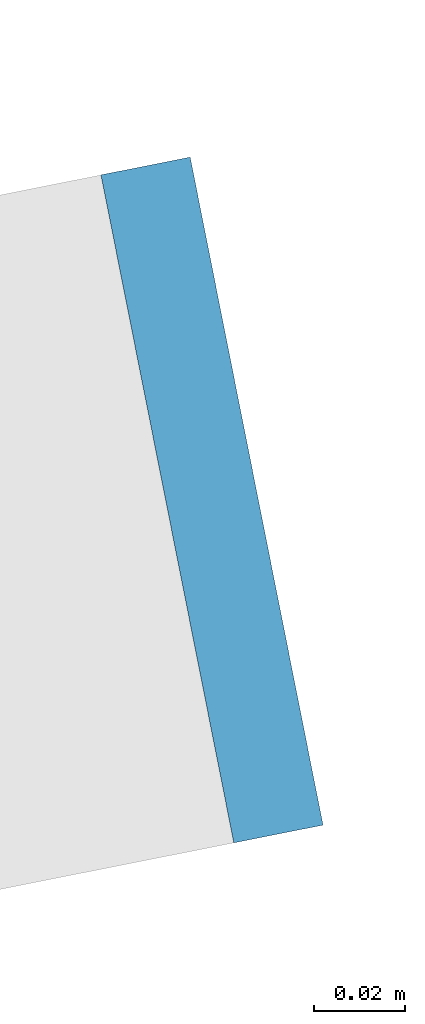
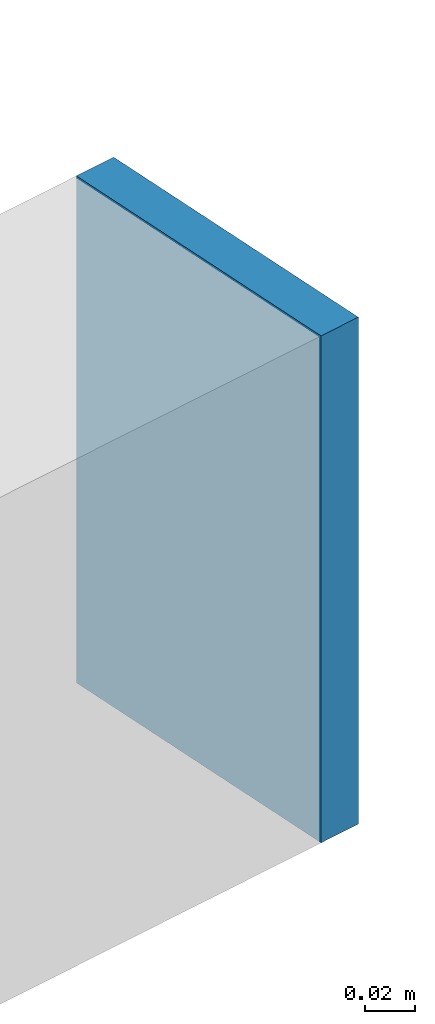
# One storey, part 17 of 23: 1 discrete accessory.
"""IFC4 building model written with IfcOpenShell, lengths in metres."""

from ifc_helpers import new_model, si_unit, direction, frame, origin, origin_2d, place, context, subcontext, project, spatial, rectangle, extrude, material, layer, layer_set, type_object, element, save


model = new_model("IFC4")

# Units and contexts
model_context = context("Model", 3, precision=1e-05, world=origin(), true_north=direction((0.0, 1.0)))
body_context = subcontext(model_context, "Body", "Model", "MODEL_VIEW")
ifc_project = project(units=[si_unit("LENGTHUNIT", "METRE"), si_unit("AREAUNIT", "SQUARE_METRE"), si_unit("VOLUMEUNIT", "CUBIC_METRE"), si_unit("PLANEANGLEUNIT", "RADIAN"), si_unit("MASSUNIT", "GRAM", prefix="KILO")], contexts=[model_context])

# Site, building, storey
site_placement = place(None, origin())
site = spatial("IfcSite", under=ifc_project, at=site_placement, CompositionType="ELEMENT")
building_placement = place(site_placement, origin())
building = spatial("IfcBuilding", under=site, at=building_placement, Name="Siwar Civic Tower", CompositionType="ELEMENT")
storey_placement = place(building_placement, frame((0.0, 0.0, 260.199951171875)))
storey = spatial("IfcBuildingStorey", under=building, at=storey_placement, Name="L56", CompositionType="ELEMENT", Elevation=260.199951171875)

# Discrete accessory
ifc_material = material(Name="Steel S355", Category="steel")
ifc_layer = layer(ifc_material, 0.02001953125)
ifc_layer_set = layer_set([ifc_layer], Name="Steel S355")
discrete_accessory_type = type_object("IfcDiscreteAccessoryType", Name="STR-END-CAP", PredefinedType="USERDEFINED", material=ifc_layer_set)
discrete_accessory_placement = place(storey_placement, frame((28.8251953125, 18.118408203125, -0.39990234375), z_axis=(0.0, 0.0, 1.0), x_axis=(0.980785280468, 0.195090321691, 0.0)))
element("IfcDiscreteAccessory", 1, at=discrete_accessory_placement, inside=storey, type_object=discrete_accessory_type, Name="End cap plate Balcony cantilever beam NE 1", ObjectType="END CAP PLATE", PredefinedType="USERDEFINED", context=body_context, shape_type="SweptSolid", body=[
    extrude(rectangle(XDim=0.02001953125, YDim=0.14990234375, at=origin_2d()), origin(), (0.0, 0.0, 1.0), 0.25),
])

save(model, "model.ifc")
